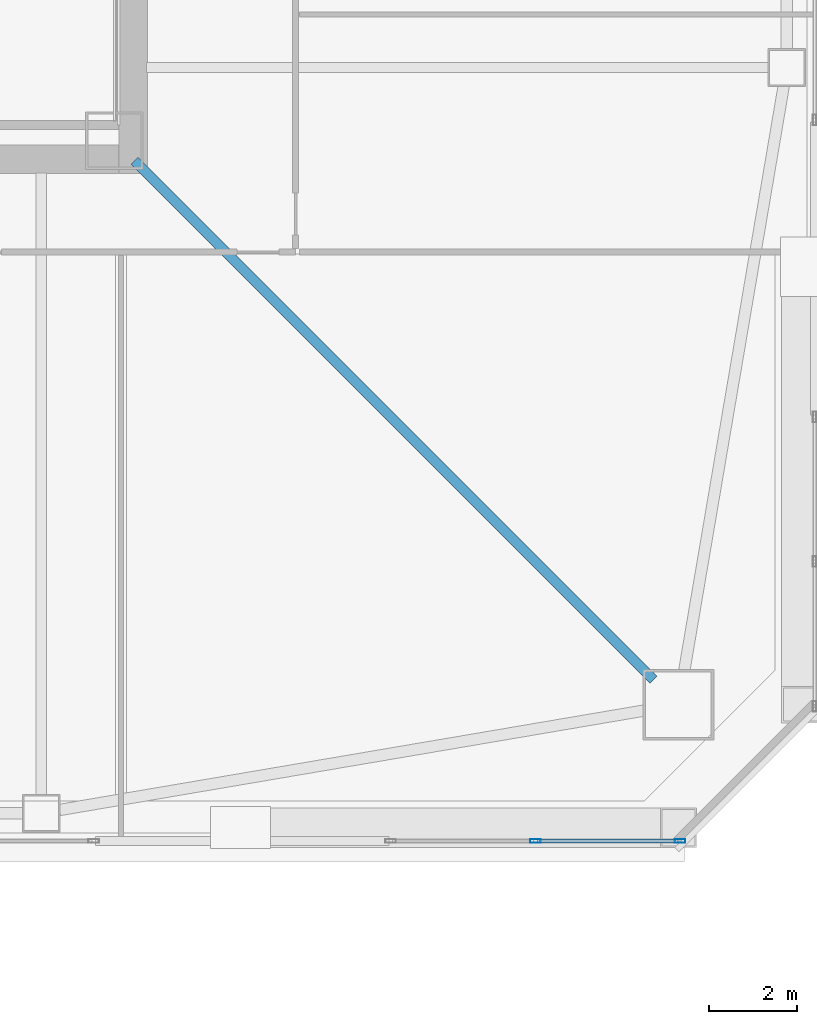
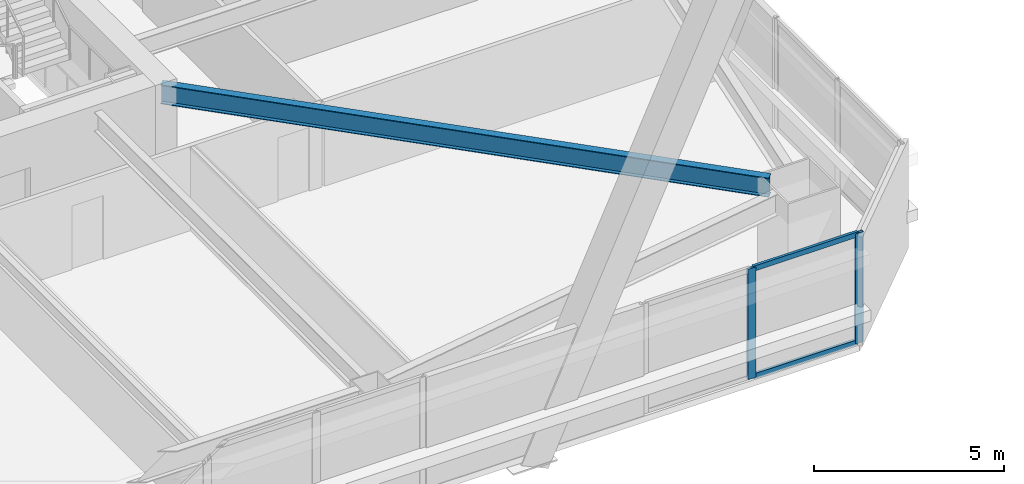
# One storey, part 12 of 75: 4 members, 1 beam, 1 element without a shape of its own.
"""IFC4 building model written with IfcOpenShell, lengths in metres."""

from ifc_helpers import new_model, si_unit, direction, frame, origin, origin_2d, place, context, subcontext, project, spatial, hollow_rectangle, i_section, extrude, material, material_profile, profile_set, type_object, element, aggregate, save


model = new_model("IFC4")

# Units and contexts
model_context = context("Model", 3, precision=1e-05, world=origin(), true_north=direction((0.0, 1.0)))
body_context = subcontext(model_context, "Body", "Model", "MODEL_VIEW")
ifc_project = project(units=[si_unit("LENGTHUNIT", "METRE"), si_unit("AREAUNIT", "SQUARE_METRE"), si_unit("VOLUMEUNIT", "CUBIC_METRE"), si_unit("PLANEANGLEUNIT", "RADIAN"), si_unit("MASSUNIT", "GRAM", prefix="KILO")], contexts=[model_context])

# Site, building, storey
site_placement = place(None, origin())
site = spatial("IfcSite", under=ifc_project, at=site_placement, CompositionType="ELEMENT")
building_placement = place(site_placement, origin())
building = spatial("IfcBuilding", under=site, at=building_placement, Name="Tashvorn Skyway Center", CompositionType="ELEMENT")
storey_placement = place(building_placement, frame((0.0, 0.0, 45.89990234375)))
storey = spatial("IfcBuildingStorey", under=building, at=storey_placement, Name="L11", CompositionType="ELEMENT", Elevation=45.89990234375)

# Beam
ifc_material_1 = material(Name="Steel ASTM A992 Grade 50", Category="steel")
ifc_material_profile_1 = material_profile(ifc_material_1, i_section(OverallWidth=0.22998046875, OverallDepth=0.616943359375, WebThickness=0.01318359375, FlangeThickness=0.022216796875, at=origin_2d()), Name="W24X94")
ifc_profile_set_1 = profile_set([ifc_material_profile_1], Name="Steel ASTM A992 Grade 50")
beam_type = type_object("IfcBeamType", Name="BM-BEAM-W24X94", PredefinedType="BEAM", material=ifc_profile_set_1)
beam_placement = place(storey_placement, frame((61.23779296875, 12.76220703125, 3.04150390625), z_axis=(-0.707106781187, 0.707106781187, 0.0), x_axis=(-0.707106781187, -0.707106781187, 0.0)))
element("IfcBeam", 1, at=beam_placement, inside=storey, type_object=beam_type, Name="Tower 1 L11 Primary Floor Girder MC-SE", PredefinedType="BEAM", context=body_context, shape_type="SweptSolid", body=[
    extrude(i_section(OverallWidth=0.22998046875, OverallDepth=0.616943359375, WebThickness=0.01318359375, FlangeThickness=0.022216796875, at=origin_2d()), origin(), (0.0, 0.0, 1.0), 16.591064453125),
])

# Curtain wall, members
ifc_material_2 = material(Name="Thermally broken bronze-anodized aluminium 6063-T6", Category="aluminium")
curtain_wall_type = type_object("IfcCurtainWallType", Name="CW-CW-Z1", PredefinedType="NOTDEFINED", material=ifc_material_2)
curtain_wall_placement = place(storey_placement, origin())
curtain_wall = element("IfcCurtainWall", 2, at=curtain_wall_placement, inside=storey, type_object=curtain_wall_type, Name="Tower 1 L11 South Unitised Curtain Wall Glazing Group 1", PredefinedType="NOTDEFINED")
ifc_material_profile_2 = material_profile(ifc_material_2, hollow_rectangle(XDim=0.0849609375, YDim=0.239990234375, WallThickness=0.0048828125, at=origin_2d()), Name="ALU-MULL-85x240")
ifc_profile_set_2 = profile_set([ifc_material_profile_2], Name="Thermally broken bronze-anodized aluminium 6063-T6")
member_type_1 = type_object("IfcMemberType", Name="CWM-CW-Z1", PredefinedType="MULLION", material=ifc_profile_set_2)
member_1_placement = place(storey_placement, frame((61.83740234375, 9.1201171875, 0.0), z_axis=(0.0, 0.0, 1.0), x_axis=(0.0, -1.0, 0.0)))
member_1 = element("IfcMember", 3, at=member_1_placement, type_object=member_type_1, Name="CW-Z1 mullion 1", PredefinedType="MULLION", context=body_context, shape_type="SweptSolid", body=[
    extrude(hollow_rectangle(XDim=0.0849609375, YDim=0.239990234375, WallThickness=0.0048828125, at=origin_2d()), origin(), (0.0, 0.0, 1.0), 3.550048828125),
])
member_2_placement = place(storey_placement, frame((58.566650390625, 9.1201171875, 0.0), z_axis=(0.0, 0.0, 1.0), x_axis=(0.0, -1.0, 0.0)))
member_2 = element("IfcMember", 4, at=member_2_placement, type_object=member_type_1, Name="CW-Z1 mullion 2", PredefinedType="MULLION", context=body_context, shape_type="SweptSolid", body=[
    extrude(hollow_rectangle(XDim=0.0849609375, YDim=0.239990234375, WallThickness=0.0048828125, at=origin_2d()), origin(), (0.0, 0.0, 1.0), 3.550048828125),
])
ifc_material_profile_3 = material_profile(ifc_material_2, hollow_rectangle(XDim=0.0849609375, YDim=0.1650390625, WallThickness=0.0048828125, at=origin_2d()), Name="ALU-TRAN-85x165")
ifc_profile_set_3 = profile_set([ifc_material_profile_3], Name="Thermally broken bronze-anodized aluminium 6063-T6")
member_type_2 = type_object("IfcMemberType", Name="CWT-CW-Z1", PredefinedType="USERDEFINED", material=ifc_profile_set_3)
member_3_placement = place(storey_placement, frame((61.794921875, 9.1201171875, 0.04248046875), z_axis=(-1.0, 0.0, 0.0), x_axis=(0.0, -1.0, 0.0)))
member_3 = element("IfcMember", 5, at=member_3_placement, type_object=member_type_2, Name="CW-Z1 transom 1.1", ObjectType="TRANSOM", PredefinedType="USERDEFINED", context=body_context, shape_type="SweptSolid", body=[
    extrude(hollow_rectangle(XDim=0.0849609375, YDim=0.1650390625, WallThickness=0.0048828125, at=origin_2d()), origin(), (0.0, 0.0, 1.0), 3.185791015625),
])
member_4_placement = place(storey_placement, frame((61.794921875, 9.1201171875, 3.507568359375), z_axis=(-1.0, 0.0, 0.0), x_axis=(0.0, -1.0, 0.0)))
member_4 = element("IfcMember", 6, at=member_4_placement, type_object=member_type_2, Name="CW-Z1 transom 1.2", ObjectType="TRANSOM", PredefinedType="USERDEFINED", context=body_context, shape_type="SweptSolid", body=[
    extrude(hollow_rectangle(XDim=0.0849609375, YDim=0.1650390625, WallThickness=0.0048828125, at=origin_2d()), origin(), (0.0, 0.0, 1.0), 3.185791015625),
])
aggregate(curtain_wall, [member_1, member_2, member_3, member_4])

save(model, "model.ifc")
